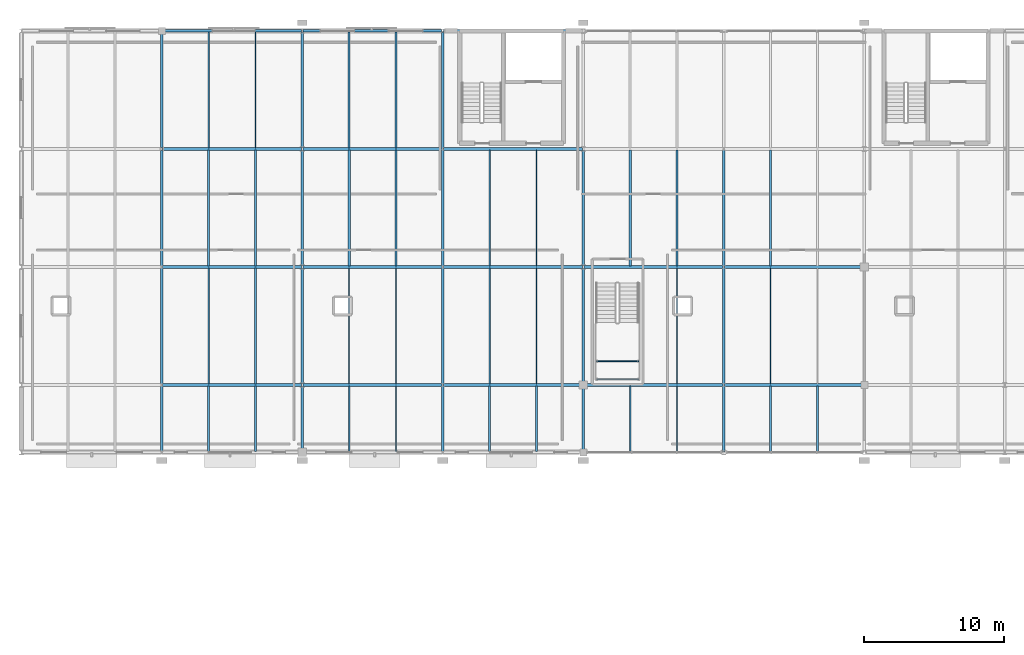
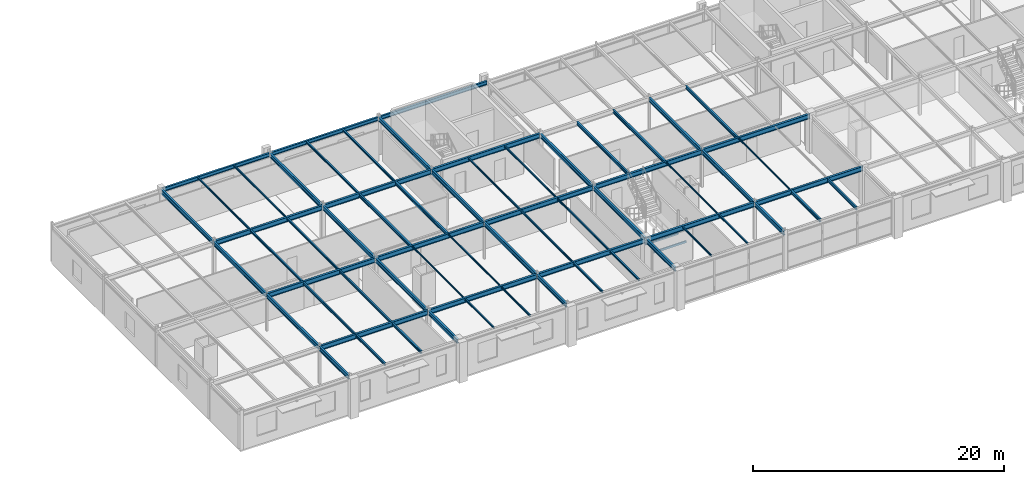
# One storey, part 55 of 98: 67 beams.
"""IFC4 building model written with IfcOpenShell, lengths in metres."""

from ifc_helpers import new_model, si_unit, derived_unit, direction, frame, origin, origin_2d_with_axis, place, context, subcontext, project, spatial, hollow_rectangle, i_section, extrude, material, material_profile, profile_set, type_object, element, save


model = new_model("IFC4")

# Units and contexts
model_context = context("Model", 3, precision=1e-05, world=origin(), true_north=direction((0.0, 1.0)))
body_context = subcontext(model_context, "Body", "Model", "MODEL_VIEW")
ifc_project = project(units=[si_unit("LENGTHUNIT", "METRE"), si_unit("AREAUNIT", "SQUARE_METRE"), si_unit("VOLUMEUNIT", "CUBIC_METRE"), si_unit("PLANEANGLEUNIT", "RADIAN"), si_unit("MASSUNIT", "GRAM", prefix="KILO"), derived_unit("THERMALTRANSMITTANCEUNIT", [(si_unit("POWERUNIT", "WATT"), 1), (si_unit("LENGTHUNIT", "METRE"), -2), (si_unit("THERMODYNAMICTEMPERATUREUNIT", "KELVIN"), -1)])], contexts=[model_context])

# Site, building, storey
site_placement = place(None, origin())
site = spatial("IfcSite", under=ifc_project, at=site_placement, CompositionType="ELEMENT")
building_placement = place(site_placement, origin())
building = spatial("IfcBuilding", under=site, at=building_placement, Name="Cinnabar Yard Market Hall", CompositionType="ELEMENT")
storey_placement = place(building_placement, frame((0.0, 0.0, 4.5)))
storey = spatial("IfcBuildingStorey", under=building, at=storey_placement, Name="L01", CompositionType="ELEMENT", Elevation=4.5)

# Beams
ifc_material_1 = material(Name="Steel Grade 300 (300 MPa)", Category="steel")
ifc_material_profile_1 = material_profile(ifc_material_1, i_section(OverallWidth=0.18994140625, OverallDepth=0.453857421875, WebThickness=0.008544921875, FlangeThickness=0.0126953125, FilletRadius=0.011474609375, at=origin_2d_with_axis()), Name="460UB67.1")
ifc_profile_set_1 = profile_set([ifc_material_profile_1], Name="Steel Grade 300 (300 MPa)")
beam_type_1 = type_object("IfcBeamType", Name="BM-B05", PredefinedType="BEAM", material=ifc_profile_set_1)
for number, where, z_axis, x_axis, name in (
    (1, (76.06005859375, 112.800048828125, 3.423095703125), (1.0, 0.0, 0.0), (0.0, 1.0, 0.0), "V3 L01 Girder X 01029"),
    (2, (76.06005859375, 121.199951171875, 3.423095703125), (1.0, 0.0, 0.0), (0.0, 1.0, 0.0), "V3 L01 Girder X 01030"),
    (3, (76.06005859375, 129.60009765625, 3.423095703125), (1.0, 0.0, 0.0), (0.0, 1.0, 0.0), "V3 L01 Girder X 01031"),
    (4, (86.06005859375, 112.800048828125, 3.423095703125), (1.0, 0.0, 0.0), (0.0, 1.0, 0.0), "V3 L01 Girder X 01034"),
    (5, (86.06005859375, 121.199951171875, 3.423095703125), (1.0, 0.0, 0.0), (0.0, 1.0, 0.0), "V3 L01 Girder X 01035"),
    (6, (86.06005859375, 129.60009765625, 3.423095703125), (1.0, 0.0, 0.0), (0.0, 1.0, 0.0), "V3 L01 Girder X 01036"),
    (7, (96.06005859375, 112.800048828125, 3.423095703125), (1.0, 0.0, 0.0), (0.0, 1.0, 0.0), "V3 L01 Girder X 01039"),
    (8, (96.06005859375, 121.199951171875, 3.423095703125), (1.0, 0.0, 0.0), (0.0, 1.0, 0.0), "V3 L01 Girder X 01040"),
    (9, (96.06005859375, 129.60009765625, 3.423095703125), (1.0, 0.0, 0.0), (0.0, 1.0, 0.0), "V3 L01 Girder X 01041"),
    (10, (106.06005859375, 112.800048828125, 3.423095703125), (1.0, 0.0, 0.0), (0.0, 1.0, 0.0), "V3 L01 Girder X 01044"),
    (11, (106.06005859375, 121.199951171875, 3.423095703125), (1.0, 0.0, 0.0), (0.0, 1.0, 0.0), "V3 L01 Girder X 01045"),
    (12, (116.06005859375, 112.800048828125, 3.423095703125), (1.0, 0.0, 0.0), (0.0, 1.0, 0.0), "V3 L01 Girder X 01049"),
    (13, (116.06005859375, 121.199951171875, 3.423095703125), (1.0, 0.0, 0.0), (0.0, 1.0, 0.0), "V3 L01 Girder X 01050"),
):
    element("IfcBeam", number, at=place(storey_placement, frame(where, z_axis=z_axis, x_axis=x_axis)), inside=storey, type_object=beam_type_1, Name=name, PredefinedType="BEAM", context=body_context, shape_type="SweptSolid", body=[
        extrude(i_section(OverallWidth=0.18994140625, OverallDepth=0.453857421875, WebThickness=0.008544921875, FlangeThickness=0.0126953125, FilletRadius=0.011474609375, at=origin_2d_with_axis()), origin(), (0.0, 0.0, 1.0), 9.8798828125),
    ])
ifc_material_profile_2 = material_profile(ifc_material_1, i_section(OverallWidth=0.177978515625, OverallDepth=0.406494140625, WebThickness=0.0078125, FlangeThickness=0.0126953125, FilletRadius=0.011474609375, at=origin_2d_with_axis()), Name="410UB59.7")
ifc_profile_set_2 = profile_set([ifc_material_profile_2], Name="Steel Grade 300 (300 MPa)")
beam_type_2 = type_object("IfcBeamType", Name="BM-B06", PredefinedType="BEAM", material=ifc_profile_set_2)
beam_1_placement = place(storey_placement, frame((76.0, 108.06005859375, 3.44677734375), z_axis=(0.0, 1.0, 0.0), x_axis=(-1.0, 0.0, 0.0)))
element("IfcBeam", 14, at=beam_1_placement, inside=storey, type_object=beam_type_2, Name="V3 L01 Girder Y 01077", PredefinedType="BEAM", context=body_context, shape_type="SweptSolid", body=[
    extrude(i_section(OverallWidth=0.177978515625, OverallDepth=0.406494140625, WebThickness=0.0078125, FlangeThickness=0.0126953125, FilletRadius=0.011474609375, at=origin_2d_with_axis()), origin(), (0.0, 0.0, 1.0), 4.679931640625),
])
beam_2_placement = place(storey_placement, frame((76.0, 112.860107421875, 3.44677734375), z_axis=(0.0, 1.0, 0.0), x_axis=(-1.0, 0.0, 0.0)))
element("IfcBeam", 15, at=beam_2_placement, inside=storey, type_object=beam_type_2, Name="V3 L01 Girder Y 01078", PredefinedType="BEAM", context=body_context, shape_type="SweptSolid", body=[
    extrude(i_section(OverallWidth=0.177978515625, OverallDepth=0.406494140625, WebThickness=0.0078125, FlangeThickness=0.0126953125, FilletRadius=0.011474609375, at=origin_2d_with_axis()), origin(), (0.0, 0.0, 1.0), 8.27978515625),
])
for number, where, z_axis, x_axis, name in (
    (16, (76.0, 121.260009765625, 3.44677734375), (0.0, 1.0, 0.0), (-1.0, 0.0, 0.0), "V3 L01 Girder Y 01079"),
    (17, (76.0, 129.659912109375, 3.44677734375), (0.0, 1.0, 0.0), (-1.0, 0.0, 0.0), "V3 L01 Girder Y 01080"),
):
    element("IfcBeam", number, at=place(storey_placement, frame(where, z_axis=z_axis, x_axis=x_axis)), inside=storey, type_object=beam_type_2, Name=name, PredefinedType="BEAM", context=body_context, shape_type="SweptSolid", body=[
        extrude(i_section(OverallWidth=0.177978515625, OverallDepth=0.406494140625, WebThickness=0.0078125, FlangeThickness=0.0126953125, FilletRadius=0.011474609375, at=origin_2d_with_axis()), origin(), (0.0, 0.0, 1.0), 8.280029296875),
    ])
beam_3_placement = place(storey_placement, frame((86.0, 108.06005859375, 3.44677734375), z_axis=(0.0, 1.0, 0.0), x_axis=(-1.0, 0.0, 0.0)))
element("IfcBeam", 18, at=beam_3_placement, inside=storey, type_object=beam_type_2, Name="V3 L01 Girder Y 01081", PredefinedType="BEAM", context=body_context, shape_type="SweptSolid", body=[
    extrude(i_section(OverallWidth=0.177978515625, OverallDepth=0.406494140625, WebThickness=0.0078125, FlangeThickness=0.0126953125, FilletRadius=0.011474609375, at=origin_2d_with_axis()), origin(), (0.0, 0.0, 1.0), 4.679931640625),
])
beam_4_placement = place(storey_placement, frame((86.0, 112.860107421875, 3.44677734375), z_axis=(0.0, 1.0, 0.0), x_axis=(-1.0, 0.0, 0.0)))
element("IfcBeam", 19, at=beam_4_placement, inside=storey, type_object=beam_type_2, Name="V3 L01 Girder Y 01082", PredefinedType="BEAM", context=body_context, shape_type="SweptSolid", body=[
    extrude(i_section(OverallWidth=0.177978515625, OverallDepth=0.406494140625, WebThickness=0.0078125, FlangeThickness=0.0126953125, FilletRadius=0.011474609375, at=origin_2d_with_axis()), origin(), (0.0, 0.0, 1.0), 8.27978515625),
])
for number, where, z_axis, x_axis, name in (
    (20, (86.0, 121.260009765625, 3.44677734375), (0.0, 1.0, 0.0), (-1.0, 0.0, 0.0), "V3 L01 Girder Y 01083"),
    (21, (86.0, 129.659912109375, 3.44677734375), (0.0, 1.0, 0.0), (-1.0, 0.0, 0.0), "V3 L01 Girder Y 01084"),
):
    element("IfcBeam", number, at=place(storey_placement, frame(where, z_axis=z_axis, x_axis=x_axis)), inside=storey, type_object=beam_type_2, Name=name, PredefinedType="BEAM", context=body_context, shape_type="SweptSolid", body=[
        extrude(i_section(OverallWidth=0.177978515625, OverallDepth=0.406494140625, WebThickness=0.0078125, FlangeThickness=0.0126953125, FilletRadius=0.011474609375, at=origin_2d_with_axis()), origin(), (0.0, 0.0, 1.0), 8.280029296875),
    ])
beam_5_placement = place(storey_placement, frame((96.0, 108.06005859375, 3.44677734375), z_axis=(0.0, 1.0, 0.0), x_axis=(-1.0, 0.0, 0.0)))
element("IfcBeam", 22, at=beam_5_placement, inside=storey, type_object=beam_type_2, Name="V3 L01 Girder Y 01085", PredefinedType="BEAM", context=body_context, shape_type="SweptSolid", body=[
    extrude(i_section(OverallWidth=0.177978515625, OverallDepth=0.406494140625, WebThickness=0.0078125, FlangeThickness=0.0126953125, FilletRadius=0.011474609375, at=origin_2d_with_axis()), origin(), (0.0, 0.0, 1.0), 4.679931640625),
])
beam_6_placement = place(storey_placement, frame((96.0, 112.860107421875, 3.44677734375), z_axis=(0.0, 1.0, 0.0), x_axis=(-1.0, 0.0, 0.0)))
element("IfcBeam", 23, at=beam_6_placement, inside=storey, type_object=beam_type_2, Name="V3 L01 Girder Y 01086", PredefinedType="BEAM", context=body_context, shape_type="SweptSolid", body=[
    extrude(i_section(OverallWidth=0.177978515625, OverallDepth=0.406494140625, WebThickness=0.0078125, FlangeThickness=0.0126953125, FilletRadius=0.011474609375, at=origin_2d_with_axis()), origin(), (0.0, 0.0, 1.0), 8.27978515625),
])
for number, where, z_axis, x_axis, name in (
    (24, (96.0, 121.260009765625, 3.44677734375), (0.0, 1.0, 0.0), (-1.0, 0.0, 0.0), "V3 L01 Girder Y 01087"),
    (25, (96.0, 129.659912109375, 3.44677734375), (0.0, 1.0, 0.0), (-1.0, 0.0, 0.0), "V3 L01 Girder Y 01088"),
):
    element("IfcBeam", number, at=place(storey_placement, frame(where, z_axis=z_axis, x_axis=x_axis)), inside=storey, type_object=beam_type_2, Name=name, PredefinedType="BEAM", context=body_context, shape_type="SweptSolid", body=[
        extrude(i_section(OverallWidth=0.177978515625, OverallDepth=0.406494140625, WebThickness=0.0078125, FlangeThickness=0.0126953125, FilletRadius=0.011474609375, at=origin_2d_with_axis()), origin(), (0.0, 0.0, 1.0), 8.280029296875),
    ])
beam_7_placement = place(storey_placement, frame((106.0, 108.06005859375, 3.44677734375), z_axis=(0.0, 1.0, 0.0), x_axis=(-1.0, 0.0, 0.0)))
element("IfcBeam", 26, at=beam_7_placement, inside=storey, type_object=beam_type_2, Name="V3 L01 Girder Y 01089", PredefinedType="BEAM", context=body_context, shape_type="SweptSolid", body=[
    extrude(i_section(OverallWidth=0.177978515625, OverallDepth=0.406494140625, WebThickness=0.0078125, FlangeThickness=0.0126953125, FilletRadius=0.011474609375, at=origin_2d_with_axis()), origin(), (0.0, 0.0, 1.0), 4.679931640625),
])
beam_8_placement = place(storey_placement, frame((106.0, 112.860107421875, 3.44677734375), z_axis=(0.0, 1.0, 0.0), x_axis=(-1.0, 0.0, 0.0)))
element("IfcBeam", 27, at=beam_8_placement, inside=storey, type_object=beam_type_2, Name="V3 L01 Girder Y 01090", PredefinedType="BEAM", context=body_context, shape_type="SweptSolid", body=[
    extrude(i_section(OverallWidth=0.177978515625, OverallDepth=0.406494140625, WebThickness=0.0078125, FlangeThickness=0.0126953125, FilletRadius=0.011474609375, at=origin_2d_with_axis()), origin(), (0.0, 0.0, 1.0), 8.27978515625),
])
beam_9_placement = place(storey_placement, frame((106.0, 121.260009765625, 3.44677734375), z_axis=(0.0, 1.0, 0.0), x_axis=(-1.0, 0.0, 0.0)))
element("IfcBeam", 28, at=beam_9_placement, inside=storey, type_object=beam_type_2, Name="V3 L01 Girder Y 01091", PredefinedType="BEAM", context=body_context, shape_type="SweptSolid", body=[
    extrude(i_section(OverallWidth=0.177978515625, OverallDepth=0.406494140625, WebThickness=0.0078125, FlangeThickness=0.0126953125, FilletRadius=0.011474609375, at=origin_2d_with_axis()), origin(), (0.0, 0.0, 1.0), 8.280029296875),
])
beam_10_placement = place(storey_placement, frame((116.0, 108.06005859375, 3.44677734375), z_axis=(0.0, 1.0, 0.0), x_axis=(-1.0, 0.0, 0.0)))
element("IfcBeam", 29, at=beam_10_placement, inside=storey, type_object=beam_type_2, Name="V3 L01 Girder Y 01093", PredefinedType="BEAM", context=body_context, shape_type="SweptSolid", body=[
    extrude(i_section(OverallWidth=0.177978515625, OverallDepth=0.406494140625, WebThickness=0.0078125, FlangeThickness=0.0126953125, FilletRadius=0.011474609375, at=origin_2d_with_axis()), origin(), (0.0, 0.0, 1.0), 4.679931640625),
])
beam_11_placement = place(storey_placement, frame((116.0, 112.860107421875, 3.44677734375), z_axis=(0.0, 1.0, 0.0), x_axis=(-1.0, 0.0, 0.0)))
element("IfcBeam", 30, at=beam_11_placement, inside=storey, type_object=beam_type_2, Name="V3 L01 Girder Y 01094", PredefinedType="BEAM", context=body_context, shape_type="SweptSolid", body=[
    extrude(i_section(OverallWidth=0.177978515625, OverallDepth=0.406494140625, WebThickness=0.0078125, FlangeThickness=0.0126953125, FilletRadius=0.011474609375, at=origin_2d_with_axis()), origin(), (0.0, 0.0, 1.0), 8.27978515625),
])
beam_12_placement = place(storey_placement, frame((116.0, 121.260009765625, 3.44677734375), z_axis=(0.0, 1.0, 0.0), x_axis=(-1.0, 0.0, 0.0)))
element("IfcBeam", 31, at=beam_12_placement, inside=storey, type_object=beam_type_2, Name="V3 L01 Girder Y 01095", PredefinedType="BEAM", context=body_context, shape_type="SweptSolid", body=[
    extrude(i_section(OverallWidth=0.177978515625, OverallDepth=0.406494140625, WebThickness=0.0078125, FlangeThickness=0.0126953125, FilletRadius=0.011474609375, at=origin_2d_with_axis()), origin(), (0.0, 0.0, 1.0), 8.280029296875),
])
ifc_material_profile_3 = material_profile(ifc_material_1, i_section(OverallWidth=0.14892578125, OverallDepth=0.298095703125, WebThickness=0.005615234375, FlangeThickness=0.008056640625, FilletRadius=0.0087890625, at=origin_2d_with_axis()), Name="310UB32.0")
ifc_profile_set_3 = profile_set([ifc_material_profile_3], Name="Steel Grade 300 (300 MPa)")
beam_type_3 = type_object("IfcBeamType", Name="BM-J02", PredefinedType="JOIST", material=ifc_profile_set_3)
beam_13_placement = place(storey_placement, frame((119.333251953125, 121.27490234375, 3.5009765625), z_axis=(0.0, 1.0, 0.0), x_axis=(-1.0, 0.0, 0.0)))
element("IfcBeam", 32, at=beam_13_placement, inside=storey, type_object=beam_type_3, Name="V3 L01 Joist 01156", PredefinedType="JOIST", context=body_context, shape_type="SweptSolid", body=[
    extrude(i_section(OverallWidth=0.14892578125, OverallDepth=0.298095703125, WebThickness=0.005615234375, FlangeThickness=0.008056640625, FilletRadius=0.0087890625, at=origin_2d_with_axis()), origin(), (0.0, 0.0, 1.0), 8.25),
])
ifc_material_profile_4 = material_profile(ifc_material_1, i_section(OverallWidth=0.14599609375, OverallDepth=0.251708984375, WebThickness=0.006103515625, FlangeThickness=0.008544921875, FilletRadius=0.0087890625, at=origin_2d_with_axis()), Name="250UB31.4")
ifc_profile_set_4 = profile_set([ifc_material_profile_4], Name="Steel Grade 300 (300 MPa)")
beam_type_4 = type_object("IfcBeamType", Name="BM-J05", PredefinedType="JOIST", material=ifc_profile_set_4)
for number, where, z_axis, x_axis, name in (
    (33, (79.333251953125, 108.074951171875, 3.524169921875), (0.0, 1.0, 0.0), (-1.0, 0.0, 0.0), "V3 L01 Joist 01125"),
    (34, (82.666748046875, 108.074951171875, 3.524169921875), (0.0, 1.0, 0.0), (-1.0, 0.0, 0.0), "V3 L01 Joist 01129"),
):
    element("IfcBeam", number, at=place(storey_placement, frame(where, z_axis=z_axis, x_axis=x_axis)), inside=storey, type_object=beam_type_4, Name=name, PredefinedType="JOIST", context=body_context, shape_type="SweptSolid", body=[
        extrude(i_section(OverallWidth=0.14599609375, OverallDepth=0.251708984375, WebThickness=0.006103515625, FlangeThickness=0.008544921875, FilletRadius=0.0087890625, at=origin_2d_with_axis()), origin(), (0.0, 0.0, 1.0), 4.650146484375),
    ])
ifc_material_profile_5 = material_profile(ifc_material_1, i_section(OverallWidth=0.1240234375, OverallDepth=0.248291015625, WebThickness=0.0048828125, FlangeThickness=0.008056640625, FilletRadius=0.0087890625, at=origin_2d_with_axis()), Name="250UB25.7")
ifc_profile_set_5 = profile_set([ifc_material_profile_5], Name="Steel Grade 300 (300 MPa)")
beam_type_5 = type_object("IfcBeamType", Name="BM-J06", PredefinedType="JOIST", material=ifc_profile_set_5)
for number, where, z_axis, x_axis, name in (
    (35, (79.333251953125, 112.875, 3.52587890625), (0.0, 1.0, 0.0), (-1.0, 0.0, 0.0), "V3 L01 Joist 01126"),
    (36, (82.666748046875, 112.875, 3.52587890625), (0.0, 1.0, 0.0), (-1.0, 0.0, 0.0), "V3 L01 Joist 01130"),
):
    element("IfcBeam", number, at=place(storey_placement, frame(where, z_axis=z_axis, x_axis=x_axis)), inside=storey, type_object=beam_type_5, Name=name, PredefinedType="JOIST", context=body_context, shape_type="SweptSolid", body=[
        extrude(i_section(OverallWidth=0.1240234375, OverallDepth=0.248291015625, WebThickness=0.0048828125, FlangeThickness=0.008056640625, FilletRadius=0.0087890625, at=origin_2d_with_axis()), origin(), (0.0, 0.0, 1.0), 8.25),
    ])
ifc_material_profile_6 = material_profile(ifc_material_1, i_section(OverallWidth=0.133056640625, OverallDepth=0.203125, WebThickness=0.005859375, FlangeThickness=0.0078125, FilletRadius=0.0087890625, at=origin_2d_with_axis()), Name="200UB25.4")
ifc_profile_set_6 = profile_set([ifc_material_profile_6], Name="Steel Grade 300 (300 MPa)")
beam_type_6 = type_object("IfcBeamType", Name="BM-J07", PredefinedType="JOIST", material=ifc_profile_set_6)
for number, where, z_axis, x_axis, name in (
    (37, (79.333251953125, 121.27490234375, 3.54833984375), (0.0, 1.0, 0.0), (-1.0, 0.0, 0.0), "V3 L01 Joist 01127"),
    (38, (82.666748046875, 121.27490234375, 3.54833984375), (0.0, 1.0, 0.0), (-1.0, 0.0, 0.0), "V3 L01 Joist 01131"),
):
    element("IfcBeam", number, at=place(storey_placement, frame(where, z_axis=z_axis, x_axis=x_axis)), inside=storey, type_object=beam_type_6, Name=name, PredefinedType="JOIST", context=body_context, shape_type="SweptSolid", body=[
        extrude(i_section(OverallWidth=0.133056640625, OverallDepth=0.203125, WebThickness=0.005859375, FlangeThickness=0.0078125, FilletRadius=0.0087890625, at=origin_2d_with_axis()), origin(), (0.0, 0.0, 1.0), 8.25),
    ])
ifc_material_profile_7 = material_profile(ifc_material_1, i_section(OverallWidth=0.090087890625, OverallDepth=0.178955078125, WebThickness=0.006103515625, FlangeThickness=0.009521484375, FilletRadius=0.0087890625, at=origin_2d_with_axis()), Name="180UB22.2")
ifc_profile_set_7 = profile_set([ifc_material_profile_7], Name="Steel Grade 300 (300 MPa)")
beam_type_7 = type_object("IfcBeamType", Name="BM-J08", PredefinedType="JOIST", material=ifc_profile_set_7)
for number, where, z_axis, x_axis, name in (
    (39, (79.333251953125, 129.675048828125, 3.560546875), (0.0, 1.0, 0.0), (-1.0, 0.0, 0.0), "V3 L01 Joist 01128"),
    (40, (82.666748046875, 129.675048828125, 3.560546875), (0.0, 1.0, 0.0), (-1.0, 0.0, 0.0), "V3 L01 Joist 01132"),
):
    element("IfcBeam", number, at=place(storey_placement, frame(where, z_axis=z_axis, x_axis=x_axis)), inside=storey, type_object=beam_type_7, Name=name, PredefinedType="JOIST", context=body_context, shape_type="SweptSolid", body=[
        extrude(i_section(OverallWidth=0.090087890625, OverallDepth=0.178955078125, WebThickness=0.006103515625, FlangeThickness=0.009521484375, FilletRadius=0.0087890625, at=origin_2d_with_axis()), origin(), (0.0, 0.0, 1.0), 8.25),
    ])
for number, where, z_axis, x_axis, name in (
    (41, (89.333251953125, 108.074951171875, 3.560546875), (0.0, 1.0, 0.0), (-1.0, 0.0, 0.0), "V3 L01 Joist 01133"),
    (42, (92.666748046875, 108.074951171875, 3.560546875), (0.0, 1.0, 0.0), (-1.0, 0.0, 0.0), "V3 L01 Joist 01137"),
):
    element("IfcBeam", number, at=place(storey_placement, frame(where, z_axis=z_axis, x_axis=x_axis)), inside=storey, type_object=beam_type_7, Name=name, PredefinedType="JOIST", context=body_context, shape_type="SweptSolid", body=[
        extrude(i_section(OverallWidth=0.090087890625, OverallDepth=0.178955078125, WebThickness=0.006103515625, FlangeThickness=0.009521484375, FilletRadius=0.0087890625, at=origin_2d_with_axis()), origin(), (0.0, 0.0, 1.0), 4.650146484375),
    ])
ifc_material_profile_8 = material_profile(ifc_material_1, i_section(OverallWidth=0.074951171875, OverallDepth=0.155029296875, WebThickness=0.006103515625, FlangeThickness=0.009521484375, FilletRadius=0.008056640625, at=origin_2d_with_axis()), Name="150UB18.0")
ifc_profile_set_8 = profile_set([ifc_material_profile_8], Name="Steel Grade 300 (300 MPa)")
beam_type_8 = type_object("IfcBeamType", Name="BM-J09", PredefinedType="JOIST", material=ifc_profile_set_8)
for number, where, z_axis, x_axis, name in (
    (43, (89.333251953125, 112.875, 3.572509765625), (0.0, 1.0, 0.0), (-1.0, 0.0, 0.0), "V3 L01 Joist 01134"),
    (44, (92.666748046875, 112.875, 3.572509765625), (0.0, 1.0, 0.0), (-1.0, 0.0, 0.0), "V3 L01 Joist 01138"),
):
    element("IfcBeam", number, at=place(storey_placement, frame(where, z_axis=z_axis, x_axis=x_axis)), inside=storey, type_object=beam_type_8, Name=name, PredefinedType="JOIST", context=body_context, shape_type="SweptSolid", body=[
        extrude(i_section(OverallWidth=0.074951171875, OverallDepth=0.155029296875, WebThickness=0.006103515625, FlangeThickness=0.009521484375, FilletRadius=0.008056640625, at=origin_2d_with_axis()), origin(), (0.0, 0.0, 1.0), 8.25),
    ])
ifc_material_profile_9 = material_profile(ifc_material_1, i_section(OverallWidth=0.1650390625, OverallDepth=0.303955078125, WebThickness=0.006103515625, FlangeThickness=0.01025390625, FilletRadius=0.011474609375, at=origin_2d_with_axis()), Name="310UB40.4")
ifc_profile_set_9 = profile_set([ifc_material_profile_9], Name="Steel Grade 300 (300 MPa)")
beam_type_9 = type_object("IfcBeamType", Name="BM-J10", PredefinedType="JOIST", material=ifc_profile_set_9)
for number, where, z_axis, x_axis, name in (
    (45, (89.333251953125, 121.27490234375, 3.498046875), (0.0, 1.0, 0.0), (-1.0, 0.0, 0.0), "V3 L01 Joist 01135"),
    (46, (92.666748046875, 121.27490234375, 3.498046875), (0.0, 1.0, 0.0), (-1.0, 0.0, 0.0), "V3 L01 Joist 01139"),
):
    element("IfcBeam", number, at=place(storey_placement, frame(where, z_axis=z_axis, x_axis=x_axis)), inside=storey, type_object=beam_type_9, Name=name, PredefinedType="JOIST", context=body_context, shape_type="SweptSolid", body=[
        extrude(i_section(OverallWidth=0.1650390625, OverallDepth=0.303955078125, WebThickness=0.006103515625, FlangeThickness=0.01025390625, FilletRadius=0.011474609375, at=origin_2d_with_axis()), origin(), (0.0, 0.0, 1.0), 8.25),
    ])
ifc_material_profile_10 = material_profile(ifc_material_1, i_section(OverallWidth=0.133056640625, OverallDepth=0.20166015625, WebThickness=0.0048828125, FlangeThickness=0.0078125, FilletRadius=0.0087890625, at=origin_2d_with_axis()), Name="200UB22.3")
ifc_profile_set_10 = profile_set([ifc_material_profile_10], Name="Steel Grade 300 (300 MPa)")
beam_type_10 = type_object("IfcBeamType", Name="BM-J11", PredefinedType="JOIST", material=ifc_profile_set_10)
for number, where, z_axis, x_axis, name in (
    (47, (89.333251953125, 129.675048828125, 3.54931640625), (0.0, 1.0, 0.0), (-1.0, 0.0, 0.0), "V3 L01 Joist 01136"),
    (48, (92.666748046875, 129.675048828125, 3.54931640625), (0.0, 1.0, 0.0), (-1.0, 0.0, 0.0), "V3 L01 Joist 01140"),
):
    element("IfcBeam", number, at=place(storey_placement, frame(where, z_axis=z_axis, x_axis=x_axis)), inside=storey, type_object=beam_type_10, Name=name, PredefinedType="JOIST", context=body_context, shape_type="SweptSolid", body=[
        extrude(i_section(OverallWidth=0.133056640625, OverallDepth=0.20166015625, WebThickness=0.0048828125, FlangeThickness=0.0078125, FilletRadius=0.0087890625, at=origin_2d_with_axis()), origin(), (0.0, 0.0, 1.0), 8.25),
    ])
for number, where, z_axis, x_axis, name in (
    (49, (99.333251953125, 108.074951171875, 3.54931640625), (0.0, 1.0, 0.0), (-1.0, 0.0, 0.0), "V3 L01 Joist 01141"),
    (50, (102.666748046875, 108.074951171875, 3.54931640625), (0.0, 1.0, 0.0), (-1.0, 0.0, 0.0), "V3 L01 Joist 01144"),
):
    element("IfcBeam", number, at=place(storey_placement, frame(where, z_axis=z_axis, x_axis=x_axis)), inside=storey, type_object=beam_type_10, Name=name, PredefinedType="JOIST", context=body_context, shape_type="SweptSolid", body=[
        extrude(i_section(OverallWidth=0.133056640625, OverallDepth=0.20166015625, WebThickness=0.0048828125, FlangeThickness=0.0078125, FilletRadius=0.0087890625, at=origin_2d_with_axis()), origin(), (0.0, 0.0, 1.0), 4.650146484375),
    ])
ifc_material_profile_11 = material_profile(ifc_material_1, i_section(OverallWidth=0.09912109375, OverallDepth=0.197998046875, WebThickness=0.00439453125, FlangeThickness=0.007080078125, FilletRadius=0.0087890625, at=origin_2d_with_axis()), Name="200UB18.2")
ifc_profile_set_11 = profile_set([ifc_material_profile_11], Name="Steel Grade 300 (300 MPa)")
beam_type_11 = type_object("IfcBeamType", Name="BM-J12", PredefinedType="JOIST", material=ifc_profile_set_11)
for number, where, z_axis, x_axis, name in (
    (51, (99.333251953125, 112.875, 3.551025390625), (0.0, 1.0, 0.0), (-1.0, 0.0, 0.0), "V3 L01 Joist 01142"),
    (52, (102.666748046875, 112.875, 3.551025390625), (0.0, 1.0, 0.0), (-1.0, 0.0, 0.0), "V3 L01 Joist 01145"),
):
    element("IfcBeam", number, at=place(storey_placement, frame(where, z_axis=z_axis, x_axis=x_axis)), inside=storey, type_object=beam_type_11, Name=name, PredefinedType="JOIST", context=body_context, shape_type="SweptSolid", body=[
        extrude(i_section(OverallWidth=0.09912109375, OverallDepth=0.197998046875, WebThickness=0.00439453125, FlangeThickness=0.007080078125, FilletRadius=0.0087890625, at=origin_2d_with_axis()), origin(), (0.0, 0.0, 1.0), 8.25),
    ])
ifc_material_profile_12 = material_profile(ifc_material_1, i_section(OverallWidth=0.090087890625, OverallDepth=0.175048828125, WebThickness=0.0048828125, FlangeThickness=0.008056640625, FilletRadius=0.0087890625, at=origin_2d_with_axis()), Name="180UB18.1")
ifc_profile_set_12 = profile_set([ifc_material_profile_12], Name="Steel Grade 300 (300 MPa)")
beam_type_12 = type_object("IfcBeamType", Name="BM-J13", PredefinedType="JOIST", material=ifc_profile_set_12)
for number, where, z_axis, x_axis, name in (
    (53, (99.333251953125, 121.27490234375, 3.5625), (0.0, 1.0, 0.0), (-1.0, 0.0, 0.0), "V3 L01 Joist 01143"),
    (54, (102.666748046875, 121.27490234375, 3.5625), (0.0, 1.0, 0.0), (-1.0, 0.0, 0.0), "V3 L01 Joist 01146"),
):
    element("IfcBeam", number, at=place(storey_placement, frame(where, z_axis=z_axis, x_axis=x_axis)), inside=storey, type_object=beam_type_12, Name=name, PredefinedType="JOIST", context=body_context, shape_type="SweptSolid", body=[
        extrude(i_section(OverallWidth=0.090087890625, OverallDepth=0.175048828125, WebThickness=0.0048828125, FlangeThickness=0.008056640625, FilletRadius=0.0087890625, at=origin_2d_with_axis()), origin(), (0.0, 0.0, 1.0), 8.25),
    ])
ifc_material_profile_13 = material_profile(ifc_material_1, i_section(OverallWidth=0.090087890625, OverallDepth=0.173095703125, WebThickness=0.00439453125, FlangeThickness=0.007080078125, FilletRadius=0.0087890625, at=origin_2d_with_axis()), Name="180UB16.1")
ifc_profile_set_13 = profile_set([ifc_material_profile_13], Name="Steel Grade 300 (300 MPa)")
beam_type_13 = type_object("IfcBeamType", Name="BM-J14", PredefinedType="JOIST", material=ifc_profile_set_13)
for number, where, z_axis, x_axis, name in (
    (55, (109.333251953125, 108.074951171875, 3.5634765625), (0.0, 1.0, 0.0), (-1.0, 0.0, 0.0), "V3 L01 Joist 01147"),
    (56, (112.666748046875, 108.074951171875, 3.5634765625), (0.0, 1.0, 0.0), (-1.0, 0.0, 0.0), "V3 L01 Joist 01150"),
):
    element("IfcBeam", number, at=place(storey_placement, frame(where, z_axis=z_axis, x_axis=x_axis)), inside=storey, type_object=beam_type_13, Name=name, PredefinedType="JOIST", context=body_context, shape_type="SweptSolid", body=[
        extrude(i_section(OverallWidth=0.090087890625, OverallDepth=0.173095703125, WebThickness=0.00439453125, FlangeThickness=0.007080078125, FilletRadius=0.0087890625, at=origin_2d_with_axis()), origin(), (0.0, 0.0, 1.0), 4.650146484375),
    ])
ifc_material_profile_14 = material_profile(ifc_material_1, i_section(OverallWidth=0.074951171875, OverallDepth=0.14990234375, WebThickness=0.0048828125, FlangeThickness=0.007080078125, FilletRadius=0.008056640625, at=origin_2d_with_axis()), Name="150UB14.0")
ifc_profile_set_14 = profile_set([ifc_material_profile_14], Name="Steel Grade 300 (300 MPa)")
beam_type_14 = type_object("IfcBeamType", Name="BM-J15", PredefinedType="JOIST", material=ifc_profile_set_14)
beam_14_placement = place(storey_placement, frame((112.666748046875, 112.875, 3.574951171875), z_axis=(0.0, 1.0, 0.0), x_axis=(-1.0, 0.0, 0.0)))
element("IfcBeam", 57, at=beam_14_placement, inside=storey, type_object=beam_type_14, Name="V3 L01 Joist 01151", PredefinedType="JOIST", context=body_context, shape_type="SweptSolid", body=[
    extrude(i_section(OverallWidth=0.074951171875, OverallDepth=0.14990234375, WebThickness=0.0048828125, FlangeThickness=0.007080078125, FilletRadius=0.008056640625, at=origin_2d_with_axis()), origin(), (0.0, 0.0, 1.0), 8.25),
])
ifc_material_profile_15 = material_profile(ifc_material_1, i_section(OverallWidth=0.1650390625, OverallDepth=0.303955078125, WebThickness=0.006103515625, FlangeThickness=0.01025390625, FilletRadius=0.011474609375, at=origin_2d_with_axis()), Name="310UB40.4")
ifc_profile_set_15 = profile_set([ifc_material_profile_15], Name="Steel Grade 300 (300 MPa)")
beam_type_15 = type_object("IfcBeamType", Name="BM-J16", PredefinedType="JOIST", material=ifc_profile_set_15)
for number, where, z_axis, x_axis, name in (
    (58, (109.333251953125, 121.27490234375, 3.498046875), (0.0, 1.0, 0.0), (-1.0, 0.0, 0.0), "V3 L01 Joist 01148"),
    (59, (112.666748046875, 121.27490234375, 3.498046875), (0.0, 1.0, 0.0), (-1.0, 0.0, 0.0), "V3 L01 Joist 01152"),
):
    element("IfcBeam", number, at=place(storey_placement, frame(where, z_axis=z_axis, x_axis=x_axis)), inside=storey, type_object=beam_type_15, Name=name, PredefinedType="JOIST", context=body_context, shape_type="SweptSolid", body=[
        extrude(i_section(OverallWidth=0.1650390625, OverallDepth=0.303955078125, WebThickness=0.006103515625, FlangeThickness=0.01025390625, FilletRadius=0.011474609375, at=origin_2d_with_axis()), origin(), (0.0, 0.0, 1.0), 8.25),
    ])
ifc_material_profile_16 = material_profile(ifc_material_1, i_section(OverallWidth=0.14892578125, OverallDepth=0.298095703125, WebThickness=0.005615234375, FlangeThickness=0.008056640625, FilletRadius=0.0087890625, at=origin_2d_with_axis()), Name="310UB32.0")
ifc_profile_set_16 = profile_set([ifc_material_profile_16], Name="Steel Grade 300 (300 MPa)")
beam_type_16 = type_object("IfcBeamType", Name="BM-J17", PredefinedType="JOIST", material=ifc_profile_set_16)
for number, where, z_axis, x_axis, name in (
    (60, (119.333251953125, 108.074951171875, 3.5009765625), (0.0, 1.0, 0.0), (-1.0, 0.0, 0.0), "V3 L01 Joist 01154"),
    (61, (122.666748046875, 108.074951171875, 3.5009765625), (0.0, 1.0, 0.0), (-1.0, 0.0, 0.0), "V3 L01 Joist 01158"),
):
    element("IfcBeam", number, at=place(storey_placement, frame(where, z_axis=z_axis, x_axis=x_axis)), inside=storey, type_object=beam_type_16, Name=name, PredefinedType="JOIST", context=body_context, shape_type="SweptSolid", body=[
        extrude(i_section(OverallWidth=0.14892578125, OverallDepth=0.298095703125, WebThickness=0.005615234375, FlangeThickness=0.008056640625, FilletRadius=0.0087890625, at=origin_2d_with_axis()), origin(), (0.0, 0.0, 1.0), 4.650146484375),
    ])
ifc_material_profile_17 = material_profile(ifc_material_1, i_section(OverallWidth=0.074951171875, OverallDepth=0.155029296875, WebThickness=0.006103515625, FlangeThickness=0.009521484375, FilletRadius=0.008056640625, at=origin_2d_with_axis()), Name="150UB18.0")
ifc_profile_set_17 = profile_set([ifc_material_profile_17], Name="Steel Grade 300 (300 MPa)")
beam_type_17 = type_object("IfcBeamType", Name="BM-J18", PredefinedType="JOIST", material=ifc_profile_set_17)
beam_15_placement = place(storey_placement, frame((119.333251953125, 112.875, 3.572509765625), z_axis=(0.0, 1.0, 0.0), x_axis=(-1.0, 0.0, 0.0)))
element("IfcBeam", 62, at=beam_15_placement, inside=storey, type_object=beam_type_17, Name="V3 L01 Joist 01155", PredefinedType="JOIST", context=body_context, shape_type="SweptSolid", body=[
    extrude(i_section(OverallWidth=0.074951171875, OverallDepth=0.155029296875, WebThickness=0.006103515625, FlangeThickness=0.009521484375, FilletRadius=0.008056640625, at=origin_2d_with_axis()), origin(), (0.0, 0.0, 1.0), 8.25),
])
ifc_material_2 = material(Name="Cold-formed steel C350L0", Category="steel")
ifc_material_profile_18 = material_profile(ifc_material_2, hollow_rectangle(XDim=0.10009765625, YDim=0.199951171875, WallThickness=0.006103515625, InnerFilletRadius=0.006103515625, OuterFilletRadius=0.011962890625, at=origin_2d_with_axis()), Name="200x100x6.0RHS")
ifc_profile_set_18 = profile_set([ifc_material_profile_18], Name="Cold-formed steel C350L0")
beam_type_18 = type_object("IfcBeamType", Name="BM-LN01", PredefinedType="LINTEL", material=ifc_profile_set_18)
for number, where, z_axis, x_axis, name in (
    (63, (106.949951171875, 113.199951171875, 1.64990234375), (1.0, 0.0, 0.0), (0.0, 1.0, 0.0), "Feature Stair Landing Beam S ST-F4 L01"),
    (64, (106.949951171875, 114.5, 1.64990234375), (1.0, 0.0, 0.0), (0.0, 1.0, 0.0), "Feature Stair Landing Beam N ST-F4 L01"),
):
    element("IfcBeam", number, at=place(storey_placement, frame(where, z_axis=z_axis, x_axis=x_axis)), inside=storey, type_object=beam_type_18, Name=name, PredefinedType="LINTEL", context=body_context, shape_type="SweptSolid", body=[
        extrude(hollow_rectangle(XDim=0.10009765625, YDim=0.199951171875, WallThickness=0.006103515625, InnerFilletRadius=0.006103515625, OuterFilletRadius=0.011962890625, at=origin_2d_with_axis()), origin(), (0.0, 0.0, 1.0), 3.0),
    ])
ifc_material_profile_19 = material_profile(ifc_material_1, i_section(OverallWidth=0.172119140625, OverallDepth=0.358642578125, WebThickness=0.008056640625, FlangeThickness=0.012939453125, FilletRadius=0.011474609375, at=origin_2d_with_axis()), Name="360UB56.7")
ifc_profile_set_19 = profile_set([ifc_material_profile_19], Name="Steel Grade 300 (300 MPa)")
beam_type_19 = type_object("IfcBeamType", Name="BM-SP02E", PredefinedType="SPANDREL", material=ifc_profile_set_19)
for number, where, z_axis, x_axis, name in (
    (65, (76.06005859375, 138.0, 3.470703125), (1.0, 0.0, 0.0), (0.0, 1.0, 0.0), "V3 L01 Girder X 01032"),
    (66, (86.06005859375, 138.0, 3.470703125), (1.0, 0.0, 0.0), (0.0, 1.0, 0.0), "V3 L01 Girder X 01037"),
    (67, (96.06005859375, 138.0, 3.470703125), (1.0, 0.0, 0.0), (0.0, 1.0, 0.0), "V3 L01 Girder X 01042"),
):
    element("IfcBeam", number, at=place(storey_placement, frame(where, z_axis=z_axis, x_axis=x_axis)), inside=storey, type_object=beam_type_19, Name=name, PredefinedType="SPANDREL", context=body_context, shape_type="SweptSolid", body=[
        extrude(i_section(OverallWidth=0.172119140625, OverallDepth=0.358642578125, WebThickness=0.008056640625, FlangeThickness=0.012939453125, FilletRadius=0.011474609375, at=origin_2d_with_axis()), origin(), (0.0, 0.0, 1.0), 9.8798828125),
    ])

save(model, "model.ifc")
